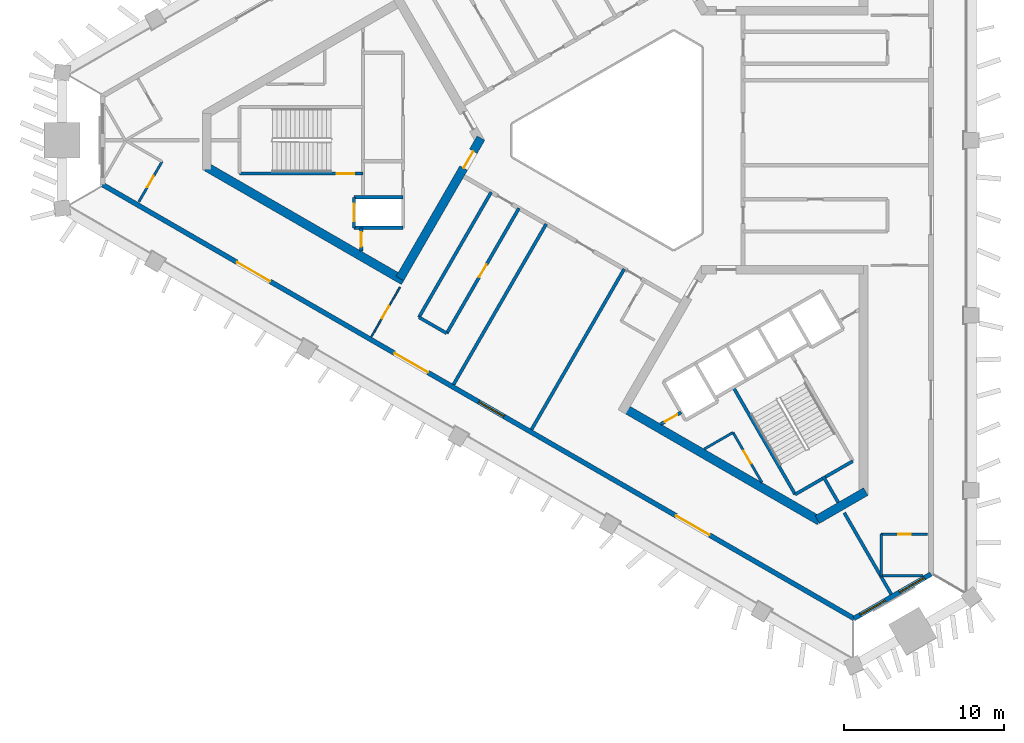
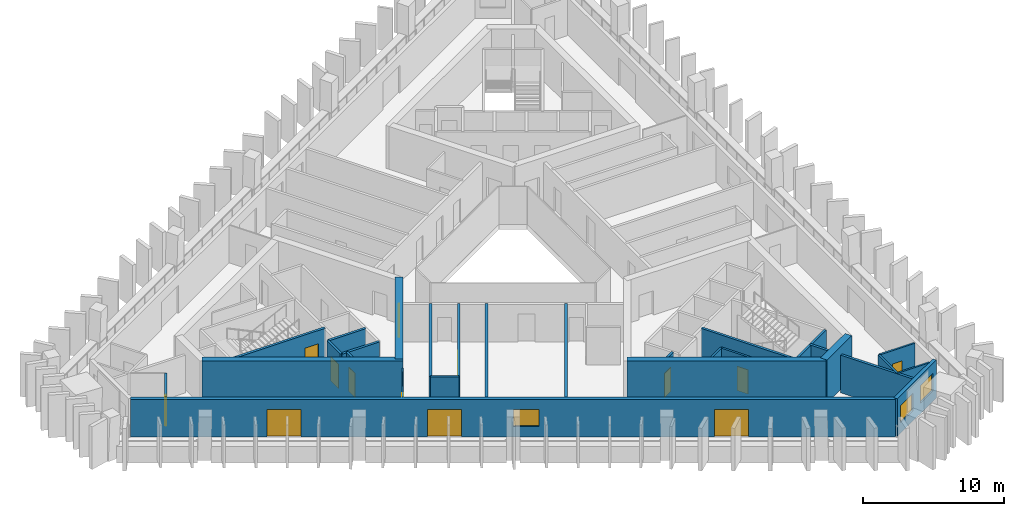
# One storey, part 2 of 10: 28 walls, 13 doors, 3 windows, 16 openings.
"""IFC4 building model written with IfcOpenShell, lengths in metres."""

from ifc_helpers import new_model, si_unit, direction, frame, frame_2d, origin, place, context, subcontext, project, spatial, rectangle, extrude, material, layer, layer_set, type_object, element, fill, save


model = new_model("IFC4")

# Units and contexts
model_context = context("Model", 3, precision=1e-05, world=origin(), true_north=direction((0.0, 1.0)))
body_context = subcontext(model_context, "Body", "Model", "MODEL_VIEW")
ifc_project = project(units=[si_unit("LENGTHUNIT", "METRE"), si_unit("AREAUNIT", "SQUARE_METRE"), si_unit("VOLUMEUNIT", "CUBIC_METRE"), si_unit("PLANEANGLEUNIT", "RADIAN"), si_unit("MASSUNIT", "GRAM", prefix="KILO")], contexts=[model_context])

# Site, building, storey
site_placement = place(None, origin())
site = spatial("IfcSite", under=ifc_project, at=site_placement, CompositionType="ELEMENT")
building_placement = place(site_placement, origin())
building = spatial("IfcBuilding", under=site, at=building_placement, Name="Jabali Bay Hotel Tower and Convention Centre", CompositionType="ELEMENT")
storey_placement = place(building_placement, frame((0.0, 0.0, 163.699951171875)))
storey = spatial("IfcBuildingStorey", under=building, at=storey_placement, Name="L39", CompositionType="ELEMENT", Elevation=163.699951171875)

# Wall, opening, door
ifc_material_1 = material(Name="Concrete C40", Category="concrete")
ifc_layer_1 = layer(ifc_material_1, 0.199951171875)
ifc_layer_set_1 = layer_set([ifc_layer_1], Name="Concrete C40")
wall_type_1 = type_object("IfcWallType", Name="Core partition wall 200", PredefinedType="PARTITIONING", material=ifc_layer_set_1)
wall_1_placement = place(storey_placement, frame((58.300048828125, 74.550048828125, 0.0), z_axis=(0.0, 0.0, 1.0), x_axis=(0.0, -1.0, 0.0)))
wall_1 = element("IfcWall", 1, at=wall_1_placement, inside=storey, type_object=wall_type_1, Name="Core wall 0.10 L39", PredefinedType="PARTITIONING", context=body_context, shape_type="SweptSolid", body=[
    extrude(rectangle(XDim=1.455078125, YDim=0.199951171875, at=frame_2d((0.7275390625, 0.0))), origin(), (0.0, 0.0, 1.0), 3.25),
])
opening_1_placement = place(wall_1_placement, frame((0.277587890625, 0.0, 0.0)))
opening_1 = element("IfcOpeningElement", 2, at=opening_1_placement, cuts=wall_1, Name="Opening D849", PredefinedType="OPENING", context=body_context, shape_type="SweptSolid", body=[
    extrude(rectangle(XDim=0.89990234375, YDim=2.10009765625, at=frame_2d((0.449951171875, 1.050048828125))), frame((0.0, 0.1103515625, 0.0), z_axis=(0.0, -1.0, 0.0), x_axis=(1.0, 0.0, 0.0)), (0.0, 0.0, 1.0), 0.220947265625),
])
ifc_material_2 = material(Name="Fire-rated steel door", Category="steel")
door_type_1 = type_object("IfcDoorType", Name="Vestibule fire door 900 x 2100", OperationType="NOTDEFINED", PredefinedType="NOTDEFINED", material=ifc_material_2)
door_1_placement = place(opening_1_placement, origin())
door_1 = element("IfcDoor", 3, at=door_1_placement, inside=storey, type_object=door_type_1, Name="Vestibule fire door D849", OperationType="SINGLE_SWING_LEFT", OverallHeight=2.10009765625, OverallWidth=0.89990234375, PredefinedType="NOTDEFINED", context=body_context, shape_type="SweptSolid", body=[
    extrude(rectangle(XDim=0.89990234375, YDim=2.10009765625, at=frame_2d((0.449951171875, 1.050048828125))), frame((0.0, 0.02490234375, 0.0), z_axis=(0.0, -1.0, 0.0), x_axis=(1.0, 0.0, 0.0)), (0.0, 0.0, 1.0), 0.050048828125),
])
fill(opening_1, door_1)

# Wall
wall_2_placement = place(storey_placement, frame((87.090087890625, 59.0595703125, 0.0), z_axis=(0.0, 0.0, 1.0), x_axis=(0.499951854219, -0.86605319898, 0.0)))
element("IfcWall", 4, at=wall_2_placement, inside=storey, type_object=wall_type_1, Name="Core wall 2.5 L39", PredefinedType="PARTITIONING", context=body_context, shape_type="SweptSolid", body=[
    extrude(rectangle(XDim=1.873291015625, YDim=0.199951171875, at=frame_2d((0.9365234375, 0.0))), origin(), (0.0, 0.0, 1.0), 3.25),
])

# Wall, opening, door
wall_3_placement = place(storey_placement, frame((76.969970703125, 62.315673828125, 0.0), z_axis=(0.0, 0.0, 1.0), x_axis=(0.865982457891, 0.500074377092, 0.0)))
wall_3 = element("IfcWall", 5, at=wall_3_placement, inside=storey, type_object=wall_type_1, Name="Core wall 2.11 L39", PredefinedType="PARTITIONING", context=body_context, shape_type="SweptSolid", body=[
    extrude(rectangle(XDim=1.461181640625, YDim=0.199951171875, at=frame_2d((0.73046875, 0.0))), origin(), (0.0, 0.0, 1.0), 3.25),
])
opening_2_placement = place(wall_3_placement, frame((0.280517578125, 0.0, 0.0)))
opening_2 = element("IfcOpeningElement", 6, at=opening_2_placement, cuts=wall_3, Name="Opening D862", PredefinedType="OPENING", context=body_context, shape_type="SweptSolid", body=[
    extrude(rectangle(XDim=0.89990234375, YDim=2.10009765625, at=frame_2d((0.449951171875, 1.050048828125))), frame((0.0, 0.1103515625, 0.0), z_axis=(0.0, -1.0, 0.0), x_axis=(1.0, 0.0, 0.0)), (0.0, 0.0, 1.0), 0.220947265625),
])
door_2_placement = place(opening_2_placement, origin())
door_2 = element("IfcDoor", 7, at=door_2_placement, inside=storey, type_object=door_type_1, Name="Vestibule fire door D862", OperationType="SINGLE_SWING_LEFT", OverallHeight=2.10009765625, OverallWidth=0.89990234375, PredefinedType="NOTDEFINED", context=body_context, shape_type="SweptSolid", body=[
    extrude(rectangle(XDim=0.89990234375, YDim=2.10009765625, at=frame_2d((0.449951171875, 1.050048828125))), frame((0.0, 0.02490234375, 0.0), z_axis=(0.0, -1.0, 0.0), x_axis=(1.0, 0.0, 0.0)), (0.0, 0.0, 1.0), 0.050048828125),
])
fill(opening_2, door_2)

ifc_material_3 = material(Name="Fire-rated board partition")
ifc_layer_2 = layer(ifc_material_3, 0.14990234375)
ifc_layer_set_2 = layer_set([ifc_layer_2], Name="Fire-rated board partition")
wall_type_2 = type_object("IfcWallType", Name="Core room partition 150", PredefinedType="PARTITIONING", material=ifc_layer_set_2)
wall_4_placement = place(storey_placement, frame((81.468994140625, 61.79541015625, 0.0), z_axis=(0.0, 0.0, 1.0), x_axis=(0.499992664208, -0.866029639064, 0.0)))
wall_4 = element("IfcWall", 8, at=wall_4_placement, inside=storey, type_object=wall_type_2, Name="Core wall 2.1 L39", PredefinedType="PARTITIONING", context=body_context, shape_type="SweptSolid", body=[
    extrude(rectangle(XDim=3.59765625, YDim=0.14990234375, at=frame_2d((1.798828125, 0.0))), origin(), (0.0, 0.0, 1.0), 3.25),
])
opening_3_placement = place(wall_4_placement, frame((1.321533203125, 0.0, 0.0)))
opening_3 = element("IfcOpeningElement", 9, at=opening_3_placement, cuts=wall_4, Name="Opening D864", PredefinedType="OPENING", context=body_context, shape_type="SweptSolid", body=[
    extrude(rectangle(XDim=0.89990234375, YDim=2.10009765625, at=frame_2d((0.449951171875, 1.050048828125))), frame((0.0, 0.08544921875, 0.0), z_axis=(0.0, -1.0, 0.0), x_axis=(1.0, 0.0, 0.0)), (0.0, 0.0, 1.0), 0.1708984375),
])
door_type_2 = type_object("IfcDoorType", Name="Core room door 900 x 2100", OperationType="NOTDEFINED", PredefinedType="NOTDEFINED", material=ifc_material_2)
door_3_placement = place(opening_3_placement, origin())
door_3 = element("IfcDoor", 10, at=door_3_placement, inside=storey, type_object=door_type_2, Name="Core room door D864", OperationType="SINGLE_SWING_LEFT", OverallHeight=2.10009765625, OverallWidth=0.89990234375, PredefinedType="NOTDEFINED", context=body_context, shape_type="SweptSolid", body=[
    extrude(rectangle(XDim=0.89990234375, YDim=2.10009765625, at=frame_2d((0.449951171875, 1.050048828125))), frame((0.0, 0.02490234375, 0.0), z_axis=(0.0, -1.0, 0.0), x_axis=(1.0, 0.0, 0.0)), (0.0, 0.0, 1.0), 0.050048828125),
])
fill(opening_3, door_3)

# Wall
wall_5_placement = place(storey_placement, frame((79.669921875, 60.7568359375, 0.0), z_axis=(0.0, 0.0, 1.0), x_axis=(0.866050549317, 0.49995644413, 0.0)))
element("IfcWall", 11, at=wall_5_placement, inside=storey, type_object=wall_type_2, Name="Core wall 2.16 L39", PredefinedType="PARTITIONING", context=body_context, shape_type="SweptSolid", body=[
    extrude(rectangle(XDim=2.077392578125, YDim=0.14990234375, at=frame_2d((1.03857421875, 0.0))), origin(), (0.0, 0.0, 1.0), 3.25),
])

# Wall, opening, door
ifc_layer_3 = layer(ifc_material_1, 0.199951171875)
ifc_layer_set_3 = layer_set([ifc_layer_3], Name="Concrete C40")
wall_type_3 = type_object("IfcWallType", Name="Core stair wall 200", PredefinedType="SOLIDWALL", material=ifc_layer_set_3)
wall_6_placement = place(storey_placement, frame((58.419921875, 77.925048828125, 0.0), z_axis=(0.0, 0.0, 1.0), x_axis=(-1.0, 0.0, 0.0)))
wall_6 = element("IfcWall", 12, at=wall_6_placement, inside=storey, type_object=wall_type_3, Name="Core wall 0.5 L39", PredefinedType="SOLIDWALL", context=body_context, shape_type="SweptSolid", body=[
    extrude(rectangle(XDim=7.699951171875, YDim=0.199951171875, at=frame_2d((3.85009765625, 0.0))), origin(), (0.0, 0.0, 1.0), 3.25),
])
opening_4_placement = place(wall_6_placement, frame((0.550048828125, 0.0, 0.0)))
opening_4 = element("IfcOpeningElement", 13, at=opening_4_placement, cuts=wall_6, Name="Opening D851", PredefinedType="OPENING", context=body_context, shape_type="SweptSolid", body=[
    extrude(rectangle(XDim=1.10009765625, YDim=2.10009765625, at=frame_2d((0.550048828125, 1.050048828125))), frame((0.0, 0.1103515625, 0.0), z_axis=(0.0, -1.0, 0.0), x_axis=(1.0, 0.0, 0.0)), (0.0, 0.0, 1.0), 0.220947265625),
])
door_type_3 = type_object("IfcDoorType", Name="Stair fire door 1100 x 2100", OperationType="NOTDEFINED", PredefinedType="NOTDEFINED", material=ifc_material_2)
door_4_placement = place(opening_4_placement, origin())
door_4 = element("IfcDoor", 14, at=door_4_placement, inside=storey, type_object=door_type_3, Name="Stair fire door D851", OperationType="SINGLE_SWING_RIGHT", OverallHeight=2.10009765625, OverallWidth=1.10009765625, PredefinedType="NOTDEFINED", context=body_context, shape_type="SweptSolid", body=[
    extrude(rectangle(XDim=1.10009765625, YDim=2.10009765625, at=frame_2d((0.550048828125, 1.050048828125))), frame((0.0, 0.02490234375, 0.0), z_axis=(0.0, -1.0, 0.0), x_axis=(1.0, 0.0, 0.0)), (0.0, 0.0, 1.0), 0.050048828125),
])
fill(opening_4, door_4)

# Walls
for number, where, z_axis, x_axis, name in (
    (15, (60.89990234375, 76.449951171875, 0.0), (0.0, 0.0, 1.0), (-1.0, 0.0, 0.0), "Core wall 0.6 L39"),
    (16, (60.89990234375, 74.550048828125, 0.0), (0.0, 0.0, 1.0), (-1.0, 0.0, 0.0), "Core wall 0.7 L39"),
):
    element("IfcWall", number, at=place(storey_placement, frame(where, z_axis=z_axis, x_axis=x_axis)), inside=storey, type_object=wall_type_3, Name=name, PredefinedType="SOLIDWALL", context=body_context, shape_type="SweptSolid", body=[
        extrude(rectangle(XDim=3.0498046875, YDim=0.199951171875, at=frame_2d((1.52490234375, 0.0))), origin(), (0.0, 0.0, 1.0), 3.25),
    ])

# Wall, opening, door
wall_7_placement = place(storey_placement, frame((57.85009765625, 76.449951171875, 0.0), z_axis=(0.0, 0.0, 1.0), x_axis=(0.0, -1.0, 0.0)))
wall_7 = element("IfcWall", 17, at=wall_7_placement, inside=storey, type_object=wall_type_3, Name="Core wall 0.11 L39", PredefinedType="SOLIDWALL", context=body_context, shape_type="SweptSolid", body=[
    extrude(rectangle(XDim=1.89990234375, YDim=0.199951171875, at=frame_2d((0.949951171875, 0.0))), origin(), (0.0, 0.0, 1.0), 3.25),
])
opening_5_placement = place(wall_7_placement, frame((0.39990234375, 0.0, 0.0)))
opening_5 = element("IfcOpeningElement", 18, at=opening_5_placement, cuts=wall_7, Name="Opening LD5-L39", PredefinedType="OPENING", context=body_context, shape_type="SweptSolid", body=[
    extrude(rectangle(XDim=1.10009765625, YDim=2.10009765625, at=frame_2d((0.550048828125, 1.050048828125))), frame((0.0, 0.1103515625, 0.0), z_axis=(0.0, -1.0, 0.0), x_axis=(1.0, 0.0, 0.0)), (0.0, 0.0, 1.0), 0.220947265625),
])
ifc_material_4 = material(Name="Stainless steel landing door", Category="steel")
door_type_4 = type_object("IfcDoorType", Name="Landing door 1100 x 2100", OperationType="NOTDEFINED", PredefinedType="NOTDEFINED", material=ifc_material_4)
door_5_placement = place(opening_5_placement, origin())
door_5 = element("IfcDoor", 19, at=door_5_placement, inside=storey, type_object=door_type_4, Name="Landing doors LD5-L39", OperationType="SLIDING_TO_RIGHT", OverallHeight=2.10009765625, OverallWidth=1.10009765625, PredefinedType="NOTDEFINED", context=body_context, shape_type="SweptSolid", body=[
    extrude(rectangle(XDim=1.10009765625, YDim=2.10009765625, at=frame_2d((0.550048828125, 1.050048828125))), frame((0.0, 0.02490234375, 0.0), z_axis=(0.0, -1.0, 0.0), x_axis=(1.0, 0.0, 0.0)), (0.0, 0.0, 1.0), 0.050048828125),
])
fill(opening_5, door_5)

# Walls
wall_8_placement = place(storey_placement, frame((81.492919921875, 64.603759765625, 0.0), z_axis=(0.0, 0.0, 1.0), x_axis=(0.500006057782, -0.866021906294, 0.0)))
element("IfcWall", 20, at=wall_8_placement, inside=storey, type_object=wall_type_3, Name="Core wall 2.3 L39", PredefinedType="SOLIDWALL", context=body_context, shape_type="SweptSolid", body=[
    extrude(rectangle(XDim=7.7001953125, YDim=0.199951171875, at=frame_2d((3.85009765625, 0.0))), origin(), (0.0, 0.0, 1.0), 3.25),
])
wall_9_placement = place(storey_placement, frame((85.343017578125, 57.935302734375, 0.0), z_axis=(0.0, 0.0, 1.0), x_axis=(0.866004344652, 0.500036473714, 0.0)))
element("IfcWall", 21, at=wall_9_placement, inside=storey, type_object=wall_type_3, Name="Core wall 2.17 L39", PredefinedType="SOLIDWALL", context=body_context, shape_type="SweptSolid", body=[
    extrude(rectangle(XDim=4.150146484375, YDim=0.199951171875, at=frame_2d((2.0751953125, 0.0))), origin(), (0.0, 0.0, 1.0), 3.25),
])
ifc_material_5 = material(Name="Concrete C60", Category="concrete")
ifc_layer_4 = layer(ifc_material_5, 0.550048828125)
ifc_layer_set_4 = layer_set([ifc_layer_4], Name="Concrete C60")
wall_type_4 = type_object("IfcWallType", Name="Core wall 550", PredefinedType="SHEAR", material=ifc_layer_set_4)
wall_10_placement = place(storey_placement, frame((48.671875, 78.336181640625, 0.0), z_axis=(0.0, 0.0, 1.0), x_axis=(0.866023530946, -0.500003243837, 0.0)))
element("IfcWall", 22, at=wall_10_placement, inside=storey, type_object=wall_type_4, Name="Core wall 1.4 L39", PredefinedType="SHEAR", context=body_context, shape_type="SweptSolid", body=[
    extrude(rectangle(XDim=14.1748046875, YDim=0.550048828125, at=frame_2d((7.08740234375, 0.0))), origin(), (0.0, 0.0, 1.0), 3.699951171875),
])

# Wall, opening, door
wall_11_placement = place(storey_placement, frame((60.709228515625, 71.38623046875, 0.0), z_axis=(0.0, 0.0, 1.0), x_axis=(0.500015938302, 0.866016201606, 0.0)))
wall_11 = element("IfcWall", 23, at=wall_11_placement, inside=storey, type_object=wall_type_4, Name="Core wall 1.5 L39", PredefinedType="SHEAR", context=body_context, shape_type="SweptSolid", body=[
    extrude(rectangle(XDim=10.105224609375, YDim=0.550048828125, at=frame_2d((5.052734375, 0.0))), origin(), (0.0, 0.0, 1.0), 3.699951171875),
])
opening_6_placement = place(wall_11_placement, frame((7.955078125, 0.0, 0.0)))
opening_6 = element("IfcOpeningElement", 24, at=opening_6_placement, cuts=wall_11, Name="Opening D846", PredefinedType="OPENING", context=body_context, shape_type="SweptSolid", body=[
    extrude(rectangle(XDim=1.199951171875, YDim=2.10009765625, at=frame_2d((0.60009765625, 1.050048828125))), frame((0.0, 0.28564453125, 0.0), z_axis=(0.0, -1.0, 0.0), x_axis=(1.0, 0.0, 0.0)), (0.0, 0.0, 1.0), 0.571044921875),
])
door_type_5 = type_object("IfcDoorType", Name="Corridor end fire door 1200 x 2100", OperationType="NOTDEFINED", PredefinedType="NOTDEFINED", material=ifc_material_2)
door_6_placement = place(opening_6_placement, origin())
door_6 = element("IfcDoor", 25, at=door_6_placement, inside=storey, type_object=door_type_5, Name="Corridor end fire door D846", OperationType="SINGLE_SWING_LEFT", OverallHeight=2.10009765625, OverallWidth=1.199951171875, PredefinedType="NOTDEFINED", context=body_context, shape_type="SweptSolid", body=[
    extrude(rectangle(XDim=1.199951171875, YDim=2.10009765625, at=frame_2d((0.60009765625, 1.050048828125))), frame((0.0, 0.02490234375, 0.0), z_axis=(0.0, -1.0, 0.0), x_axis=(1.0, 0.0, 0.0)), (0.0, 0.0, 1.0), 0.050048828125),
])
fill(opening_6, door_6)

# Walls
wall_12_placement = place(storey_placement, frame((74.685546875, 63.317138671875, 0.0), z_axis=(0.0, 0.0, 1.0), x_axis=(0.866024505738, -0.500001555459, 0.0)))
element("IfcWall", 26, at=wall_12_placement, inside=storey, type_object=wall_type_4, Name="Core wall 3.2 L39", PredefinedType="SHEAR", context=body_context, shape_type="SweptSolid", body=[
    extrude(rectangle(XDim=14.05859375, YDim=0.550048828125, at=frame_2d((7.029296875, 0.0))), origin(), (0.0, 0.0, 1.0), 3.699951171875),
])
wall_13_placement = place(storey_placement, frame((86.72314453125, 56.3671875, 0.0), z_axis=(0.0, 0.0, 1.0), x_axis=(0.865997833373, 0.500047750313, 0.0)))
element("IfcWall", 27, at=wall_13_placement, inside=storey, type_object=wall_type_4, Name="Core wall 3.3 L39", PredefinedType="SHEAR", context=body_context, shape_type="SweptSolid", body=[
    extrude(rectangle(XDim=3.486572265625, YDim=0.550048828125, at=frame_2d((1.7431640625, 0.0))), origin(), (0.0, 0.0, 1.0), 3.699951171875),
])

# Wall, openings, windows
ifc_layer_5 = layer(ifc_material_1, 0.300048828125)
ifc_layer_set_5 = layer_set([ifc_layer_5], Name="Concrete C40")
wall_type_5 = type_object("IfcWallType", Name="External wall 300", PredefinedType="SOLIDWALL", material=ifc_layer_set_5)
wall_14_placement = place(storey_placement, frame((93.80078125, 52.9677734375, 0.0), z_axis=(0.0, 0.0, 1.0), x_axis=(-0.86602095052, -0.500007713201, 0.0)))
wall_14 = element("IfcWall", 28, at=wall_14_placement, inside=storey, type_object=wall_type_5, Name="External wall south-east chamfer L39", PredefinedType="SOLIDWALL", context=body_context, shape_type="SweptSolid", body=[
    extrude(rectangle(XDim=5.53173828125, YDim=0.300048828125, at=frame_2d((2.765869140625, 0.0))), origin(), (0.0, 0.0, 1.0), 3.25),
])
opening_7_placement = place(wall_14_placement, frame((0.465087890625, 0.0, 0.89990234375)))
opening_7 = element("IfcOpeningElement", 29, at=opening_7_placement, cuts=wall_14, Name="Opening W1", PredefinedType="OPENING", context=body_context, shape_type="SweptSolid", body=[
    extrude(rectangle(XDim=1.800048828125, YDim=1.5, at=frame_2d((0.89990234375, 0.75))), frame((0.0, 0.16064453125, 0.0), z_axis=(0.0, -1.0, 0.0), x_axis=(1.0, 0.0, 0.0)), (0.0, 0.0, 1.0), 0.321044921875),
])
opening_8_placement = place(wall_14_placement, frame((3.29150390625, 0.0, 0.89990234375)))
opening_8 = element("IfcOpeningElement", 30, at=opening_8_placement, cuts=wall_14, Name="Opening W1", PredefinedType="OPENING", context=body_context, shape_type="SweptSolid", body=[
    extrude(rectangle(XDim=1.800048828125, YDim=1.5, at=frame_2d((0.89990234375, 0.75))), frame((0.0, 0.16064453125, 0.0), z_axis=(0.0, -1.0, 0.0), x_axis=(1.0, 0.0, 0.0)), (0.0, 0.0, 1.0), 0.321044921875),
])
ifc_material_6 = material(Name="Glass", Category="glass")
window_type = type_object("IfcWindowType", Name="Window 1800 x 1500", PartitioningType="SINGLE_PANEL", PredefinedType="WINDOW", material=ifc_material_6)
window_1_placement = place(opening_7_placement, origin())
window_1 = element("IfcWindow", 31, at=window_1_placement, inside=storey, type_object=window_type, Name="Window 3901", OverallHeight=1.5, OverallWidth=1.800048828125, PartitioningType="SINGLE_PANEL", PredefinedType="WINDOW", context=body_context, shape_type="SweptSolid", body=[
    extrude(rectangle(XDim=1.800048828125, YDim=1.5, at=frame_2d((0.89990234375, 0.75))), frame((0.0, 0.030029296875, 0.0), z_axis=(0.0, -1.0, 0.0), x_axis=(1.0, 0.0, 0.0)), (0.0, 0.0, 1.0), 0.06005859375),
])
fill(opening_7, window_1)
window_2_placement = place(opening_8_placement, origin())
window_2 = element("IfcWindow", 32, at=window_2_placement, inside=storey, type_object=window_type, Name="Window 3912", OverallHeight=1.5, OverallWidth=1.800048828125, PartitioningType="SINGLE_PANEL", PredefinedType="WINDOW", context=body_context, shape_type="SweptSolid", body=[
    extrude(rectangle(XDim=1.800048828125, YDim=1.5, at=frame_2d((0.89990234375, 0.75))), frame((0.0, 0.030029296875, 0.0), z_axis=(0.0, -1.0, 0.0), x_axis=(1.0, 0.0, 0.0)), (0.0, 0.0, 1.0), 0.06005859375),
])
fill(opening_8, window_2)

# Wall, openings, doors, window
wall_15_placement = place(storey_placement, frame((89.01025390625, 50.201904296875, 0.0), z_axis=(0.0, 0.0, 1.0), x_axis=(-0.866025862562, 0.499999205373, 0.0)))
wall_15 = element("IfcWall", 33, at=wall_15_placement, inside=storey, type_object=wall_type_5, Name="External wall south-west face L39", PredefinedType="SOLIDWALL", context=body_context, shape_type="SweptSolid", body=[
    extrude(rectangle(XDim=54.064453125, YDim=0.300048828125, at=frame_2d((27.0322265625, 0.0))), origin(), (0.0, 0.0, 1.0), 3.25),
])
opening_9_placement = place(wall_15_placement, frame((30.664794921875, 0.0, 0.0)))
opening_9 = element("IfcOpeningElement", 34, at=opening_9_placement, cuts=wall_15, Name="Opening SD1", PredefinedType="OPENING", context=body_context, shape_type="SweptSolid", body=[
    extrude(rectangle(XDim=2.39990234375, YDim=2.39990234375, at=frame_2d((1.199951171875, 1.199951171875))), frame((0.0, 0.16064453125, 0.0), z_axis=(0.0, -1.0, 0.0), x_axis=(1.0, 0.0, 0.0)), (0.0, 0.0, 1.0), 0.321044921875),
])
opening_10_placement = place(wall_15_placement, frame((42.010986328125, 0.0, 0.0)))
opening_10 = element("IfcOpeningElement", 35, at=opening_10_placement, cuts=wall_15, Name="Opening SD1", PredefinedType="OPENING", context=body_context, shape_type="SweptSolid", body=[
    extrude(rectangle(XDim=2.39990234375, YDim=2.39990234375, at=frame_2d((1.199951171875, 1.199951171875))), frame((0.0, 0.16064453125, 0.0), z_axis=(0.0, -1.0, 0.0), x_axis=(1.0, 0.0, 0.0)), (0.0, 0.0, 1.0), 0.321044921875),
])
opening_11_placement = place(wall_15_placement, frame((10.40234375, 0.0, 0.0)))
opening_11 = element("IfcOpeningElement", 36, at=opening_11_placement, cuts=wall_15, Name="Opening SD1", PredefinedType="OPENING", context=body_context, shape_type="SweptSolid", body=[
    extrude(rectangle(XDim=2.39990234375, YDim=2.39990234375, at=frame_2d((1.199951171875, 1.199951171875))), frame((0.0, 0.16064453125, 0.0), z_axis=(0.0, -1.0, 0.0), x_axis=(1.0, 0.0, 0.0)), (0.0, 0.0, 1.0), 0.321044921875),
])
opening_12_placement = place(wall_15_placement, frame((25.197021484375, 0.0, 0.89990234375)))
opening_12 = element("IfcOpeningElement", 37, at=opening_12_placement, cuts=wall_15, Name="Opening W1", PredefinedType="OPENING", context=body_context, shape_type="SweptSolid", body=[
    extrude(rectangle(XDim=1.800048828125, YDim=1.5, at=frame_2d((0.89990234375, 0.75))), frame((0.0, 0.16064453125, 0.0), z_axis=(0.0, -1.0, 0.0), x_axis=(1.0, 0.0, 0.0)), (0.0, 0.0, 1.0), 0.321044921875),
])
door_type_6 = type_object("IfcDoorType", Name="Loggia sliding door 2400 x 2400", OperationType="NOTDEFINED", PredefinedType="NOTDEFINED", material=ifc_material_6)
door_7_placement = place(opening_9_placement, origin())
door_7 = element("IfcDoor", 38, at=door_7_placement, inside=storey, type_object=door_type_6, Name="Loggia sliding door 3910", OperationType="SLIDING_TO_LEFT", OverallHeight=2.39990234375, OverallWidth=2.39990234375, PredefinedType="NOTDEFINED", context=body_context, shape_type="SweptSolid", body=[
    extrude(rectangle(XDim=2.39990234375, YDim=2.39990234375, at=frame_2d((1.199951171875, 1.199951171875))), frame((0.0, 0.02490234375, 0.0), z_axis=(0.0, -1.0, 0.0), x_axis=(1.0, 0.0, 0.0)), (0.0, 0.0, 1.0), 0.050048828125),
])
fill(opening_9, door_7)
door_8_placement = place(opening_10_placement, origin())
door_8 = element("IfcDoor", 39, at=door_8_placement, inside=storey, type_object=door_type_6, Name="Loggia sliding door 3910", OperationType="SLIDING_TO_RIGHT", OverallHeight=2.39990234375, OverallWidth=2.39990234375, PredefinedType="NOTDEFINED", context=body_context, shape_type="SweptSolid", body=[
    extrude(rectangle(XDim=2.39990234375, YDim=2.39990234375, at=frame_2d((1.199951171875, 1.199951171875))), frame((0.0, 0.02490234375, 0.0), z_axis=(0.0, -1.0, 0.0), x_axis=(1.0, 0.0, 0.0)), (0.0, 0.0, 1.0), 0.050048828125),
])
fill(opening_10, door_8)
door_9_placement = place(opening_11_placement, origin())
door_9 = element("IfcDoor", 40, at=door_9_placement, inside=storey, type_object=door_type_6, Name="Loggia sliding door 3912", OperationType="SLIDING_TO_LEFT", OverallHeight=2.39990234375, OverallWidth=2.39990234375, PredefinedType="NOTDEFINED", context=body_context, shape_type="SweptSolid", body=[
    extrude(rectangle(XDim=2.39990234375, YDim=2.39990234375, at=frame_2d((1.199951171875, 1.199951171875))), frame((0.0, 0.02490234375, 0.0), z_axis=(0.0, -1.0, 0.0), x_axis=(1.0, 0.0, 0.0)), (0.0, 0.0, 1.0), 0.050048828125),
])
fill(opening_11, door_9)
window_3_placement = place(opening_12_placement, origin())
window_3 = element("IfcWindow", 41, at=window_3_placement, inside=storey, type_object=window_type, Name="Window", OverallHeight=1.5, OverallWidth=1.800048828125, PartitioningType="SINGLE_PANEL", PredefinedType="WINDOW", context=body_context, shape_type="SweptSolid", body=[
    extrude(rectangle(XDim=1.800048828125, YDim=1.5, at=frame_2d((0.89990234375, 0.75))), frame((0.0, 0.030029296875, 0.0), z_axis=(0.0, -1.0, 0.0), x_axis=(1.0, 0.0, 0.0)), (0.0, 0.0, 1.0), 0.06005859375),
])
fill(opening_12, window_3)

# Wall, opening, door
ifc_material_7 = material(Name="Plasterboard on steel stud", Category="steel")
ifc_layer_6 = layer(ifc_material_7, 0.10009765625)
ifc_layer_set_6 = layer_set([ifc_layer_6], Name="Plasterboard on steel stud")
wall_type_6 = type_object("IfcWallType", Name="Partition 100 unit", PredefinedType="PARTITIONING", material=ifc_layer_set_6)
wall_16_placement = place(storey_placement, frame((60.71044921875, 70.83837890625, 0.0), z_axis=(0.0, 0.0, 1.0), x_axis=(-0.4999827131, -0.866035384151, 0.0)))
wall_16 = element("IfcWall", 42, at=wall_16_placement, inside=storey, type_object=wall_type_6, Name="Partition P02 L39 032", PredefinedType="PARTITIONING", context=body_context, shape_type="SweptSolid", body=[
    extrude(rectangle(XDim=3.572998046875, YDim=0.10009765625, at=frame_2d((1.78662109375, 0.0))), origin(), (0.0, 0.0, 1.0), 3.25),
])
opening_13_placement = place(wall_16_placement, frame((1.3359375, 0.0, 0.0)))
opening_13 = element("IfcOpeningElement", 43, at=opening_13_placement, cuts=wall_16, Name="Opening 3919", PredefinedType="OPENING", context=body_context, shape_type="SweptSolid", body=[
    extrude(rectangle(XDim=0.89990234375, YDim=2.10009765625, at=frame_2d((0.449951171875, 1.050048828125))), frame((0.0, 0.060546875, 0.0), z_axis=(0.0, -1.0, 0.0), x_axis=(1.0, 0.0, 0.0)), (0.0, 0.0, 1.0), 0.12109375),
])
ifc_material_8 = material(Name="Timber", Category="wood")
door_type_7 = type_object("IfcDoorType", Name="Internal door 900 x 2100", OperationType="NOTDEFINED", PredefinedType="NOTDEFINED", material=ifc_material_8)
door_10_placement = place(opening_13_placement, origin())
door_10 = element("IfcDoor", 44, at=door_10_placement, inside=storey, type_object=door_type_7, Name="Door 3919", OperationType="SINGLE_SWING_LEFT", OverallHeight=2.10009765625, OverallWidth=0.89990234375, PredefinedType="NOTDEFINED", context=body_context, shape_type="SweptSolid", body=[
    extrude(rectangle(XDim=0.89990234375, YDim=2.10009765625, at=frame_2d((0.449951171875, 1.050048828125))), frame((0.0, 0.02490234375, 0.0), z_axis=(0.0, -1.0, 0.0), x_axis=(1.0, 0.0, 0.0)), (0.0, 0.0, 1.0), 0.050048828125),
])
fill(opening_13, door_10)

# Walls
ifc_layer_7 = layer(ifc_material_7, 0.14990234375)
ifc_layer_set_7 = layer_set([ifc_layer_7], Name="Plasterboard on steel stud")
wall_type_7 = type_object("IfcWallType", Name="Partition 150 wet", PredefinedType="PARTITIONING", material=ifc_layer_set_7)
wall_17_placement = place(storey_placement, frame((93.322509765625, 52.86376953125, 0.0), z_axis=(0.0, 0.0, 1.0), x_axis=(-0.999994377011, -0.003353497678, 0.0)))
element("IfcWall", 45, at=wall_17_placement, inside=storey, type_object=wall_type_7, Name="Partition P03 L39 006", PredefinedType="PARTITIONING", context=body_context, shape_type="SweptSolid", body=[
    extrude(rectangle(XDim=2.620849609375, YDim=0.14990234375, at=frame_2d((1.310546875, 0.0))), origin(), (0.0, 0.0, 1.0), 3.25),
])
wall_18_placement = place(storey_placement, frame((90.70166015625, 52.85498046875, 0.0), z_axis=(0.0, 0.0, 1.0), x_axis=(0.0, 1.0, 0.0)))
element("IfcWall", 46, at=wall_18_placement, inside=storey, type_object=wall_type_7, Name="Partition P03 L39 007", PredefinedType="PARTITIONING", context=body_context, shape_type="SweptSolid", body=[
    extrude(rectangle(XDim=2.599853515625, YDim=0.14990234375, at=frame_2d((1.2998046875, 0.0))), origin(), (0.0, 0.0, 1.0), 3.25),
])

# Wall, opening, door
wall_19_placement = place(storey_placement, frame((90.70166015625, 55.454833984375, 0.0), z_axis=(0.0, 0.0, 1.0), x_axis=(1.0, 0.0, 0.0)))
wall_19 = element("IfcWall", 47, at=wall_19_placement, inside=storey, type_object=wall_type_7, Name="Partition P03 L39 008", PredefinedType="PARTITIONING", context=body_context, shape_type="SweptSolid", body=[
    extrude(rectangle(XDim=2.89990234375, YDim=0.14990234375, at=frame_2d((1.449951171875, 0.0))), origin(), (0.0, 0.0, 1.0), 3.25),
])
opening_14_placement = place(wall_19_placement, frame((1.050048828125, 0.0, 0.0)))
opening_14 = element("IfcOpeningElement", 48, at=opening_14_placement, cuts=wall_19, Name="Opening 3903", PredefinedType="OPENING", context=body_context, shape_type="SweptSolid", body=[
    extrude(rectangle(XDim=0.800048828125, YDim=2.10009765625, at=frame_2d((0.39990234375, 1.050048828125))), frame((0.0, 0.08544921875, 0.0), z_axis=(0.0, -1.0, 0.0), x_axis=(1.0, 0.0, 0.0)), (0.0, 0.0, 1.0), 0.1708984375),
])
door_type_8 = type_object("IfcDoorType", Name="En-suite door 800 x 2100", OperationType="NOTDEFINED", PredefinedType="NOTDEFINED", material=ifc_material_8)
door_11_placement = place(opening_14_placement, origin())
door_11 = element("IfcDoor", 49, at=door_11_placement, inside=storey, type_object=door_type_8, Name="Door 3903", OperationType="SINGLE_SWING_RIGHT", OverallHeight=2.10009765625, OverallWidth=0.800048828125, PredefinedType="NOTDEFINED", context=body_context, shape_type="SweptSolid", body=[
    extrude(rectangle(XDim=0.800048828125, YDim=2.10009765625, at=frame_2d((0.39990234375, 1.050048828125))), frame((0.0, 0.02490234375, 0.0), z_axis=(0.0, -1.0, 0.0), x_axis=(1.0, 0.0, 0.0)), (0.0, 0.0, 1.0), 0.050048828125),
])
fill(opening_14, door_11)

wall_20_placement = place(storey_placement, frame((45.892578125, 78.674560546875, 0.0), z_axis=(0.0, 0.0, 1.0), x_axis=(-0.499987231761, -0.866032775405, 0.0)))
wall_20 = element("IfcWall", 50, at=wall_20_placement, inside=storey, type_object=wall_type_7, Name="Partition P03 L39 039", PredefinedType="PARTITIONING", context=body_context, shape_type="SweptSolid", body=[
    extrude(rectangle(XDim=2.89990234375, YDim=0.14990234375, at=frame_2d((1.449951171875, 0.0))), origin(), (0.0, 0.0, 1.0), 3.25),
])
opening_15_placement = place(wall_20_placement, frame((1.050048828125, 0.0, 0.0)))
opening_15 = element("IfcOpeningElement", 51, at=opening_15_placement, cuts=wall_20, Name="Opening 3920", PredefinedType="OPENING", context=body_context, shape_type="SweptSolid", body=[
    extrude(rectangle(XDim=0.800048828125, YDim=2.10009765625, at=frame_2d((0.39990234375, 1.050048828125))), frame((0.0, 0.08544921875, 0.0), z_axis=(0.0, -1.0, 0.0), x_axis=(1.0, 0.0, 0.0)), (0.0, 0.0, 1.0), 0.1708984375),
])
door_12_placement = place(opening_15_placement, origin())
door_12 = element("IfcDoor", 52, at=door_12_placement, inside=storey, type_object=door_type_8, Name="Door 3920", OperationType="SINGLE_SWING_RIGHT", OverallHeight=2.10009765625, OverallWidth=0.800048828125, PredefinedType="NOTDEFINED", context=body_context, shape_type="SweptSolid", body=[
    extrude(rectangle(XDim=0.800048828125, YDim=2.10009765625, at=frame_2d((0.39990234375, 1.050048828125))), frame((0.0, 0.02490234375, 0.0), z_axis=(0.0, -1.0, 0.0), x_axis=(1.0, 0.0, 0.0)), (0.0, 0.0, 1.0), 0.050048828125),
])
fill(opening_15, door_12)

# Wall
ifc_layer_8 = layer(ifc_material_7, 0.199951171875)
ifc_layer_set_8 = layer_set([ifc_layer_8], Name="Plasterboard on steel stud")
wall_type_8 = type_object("IfcWallType", Name="Partition 200 party", PredefinedType="PARTITIONING", material=ifc_layer_set_8)
wall_21_placement = place(storey_placement, frame((88.40185546875, 56.789306640625, 0.0), z_axis=(0.0, 0.0, 1.0), x_axis=(0.499988124798, -0.866032259827, 0.0)))
element("IfcWall", 53, at=wall_21_placement, inside=storey, type_object=wall_type_8, Name="Partition P01 L39 009", PredefinedType="PARTITIONING", context=body_context, shape_type="SweptSolid", body=[
    extrude(rectangle(XDim=5.860107421875, YDim=0.199951171875, at=frame_2d((2.93017578125, 0.0))), origin(), (0.0, 0.0, 1.0), 3.25),
])

# Wall, opening, door
wall_22_placement = place(storey_placement, frame((68.131103515625, 75.767333984375, 0.0), z_axis=(0.0, 0.0, 1.0), x_axis=(-0.5000018851, -0.866024315419, 0.0)))
wall_22 = element("IfcWall", 54, at=wall_22_placement, inside=storey, type_object=wall_type_8, Name="Partition P01 L39 033", PredefinedType="PARTITIONING", context=body_context, shape_type="SweptSolid", body=[
    extrude(rectangle(XDim=9.0, YDim=0.199951171875, at=frame_2d((4.5, 0.0))), origin(), (0.0, 0.0, 1.0), 3.25),
])
opening_16_placement = place(wall_22_placement, frame((4.050048828125, 0.0, 0.0)))
opening_16 = element("IfcOpeningElement", 55, at=opening_16_placement, cuts=wall_22, Name="Opening 3921", PredefinedType="OPENING", context=body_context, shape_type="SweptSolid", body=[
    extrude(rectangle(XDim=0.89990234375, YDim=2.10009765625, at=frame_2d((0.449951171875, 1.050048828125))), frame((0.0, 0.1103515625, 0.0), z_axis=(0.0, -1.0, 0.0), x_axis=(1.0, 0.0, 0.0)), (0.0, 0.0, 1.0), 0.220947265625),
])
door_13_placement = place(opening_16_placement, origin())
door_13 = element("IfcDoor", 56, at=door_13_placement, inside=storey, type_object=door_type_7, Name="Door 3921", OperationType="SINGLE_SWING_LEFT", OverallHeight=2.10009765625, OverallWidth=0.89990234375, PredefinedType="NOTDEFINED", context=body_context, shape_type="SweptSolid", body=[
    extrude(rectangle(XDim=0.89990234375, YDim=2.10009765625, at=frame_2d((0.449951171875, 1.050048828125))), frame((0.0, 0.02490234375, 0.0), z_axis=(0.0, -1.0, 0.0), x_axis=(1.0, 0.0, 0.0)), (0.0, 0.0, 1.0), 0.050048828125),
])
fill(opening_16, door_13)

# Walls
wall_23_placement = place(storey_placement, frame((63.631103515625, 67.97314453125, 0.0), z_axis=(0.0, 0.0, 1.0), x_axis=(-0.866041268327, 0.499972520799, 0.0)))
element("IfcWall", 57, at=wall_23_placement, inside=storey, type_object=wall_type_8, Name="Partition P01 L39 034", PredefinedType="PARTITIONING", context=body_context, shape_type="SweptSolid", body=[
    extrude(rectangle(XDim=2.0, YDim=0.199951171875, at=frame_2d((1.0, 0.0))), origin(), (0.0, 0.0, 1.0), 3.25),
])
wall_24_placement = place(storey_placement, frame((61.89892578125, 68.97314453125, 0.0), z_axis=(0.0, 0.0, 1.0), x_axis=(0.5000018851, 0.866024315419, 0.0)))
element("IfcWall", 58, at=wall_24_placement, inside=storey, type_object=wall_type_8, Name="Partition P01 L39 035", PredefinedType="PARTITIONING", context=body_context, shape_type="SweptSolid", body=[
    extrude(rectangle(XDim=9.0, YDim=0.199951171875, at=frame_2d((4.5, 0.0))), origin(), (0.0, 0.0, 1.0), 3.25),
])
for number, where, z_axis, x_axis, name in (
    (59, (64.05419921875, 64.782470703125, 0.0), (0.0, 0.0, 1.0), (0.499998700539, 0.866026154027, 0.0), "Partition P01 L39 036"),
    (60, (68.9140625, 61.9765625, 0.0), (0.0, 0.0, 1.0), (0.499998700539, 0.866026154027, 0.0), "Partition P01 L39 040"),
):
    element("IfcWall", number, at=place(storey_placement, frame(where, z_axis=z_axis, x_axis=x_axis)), inside=storey, type_object=wall_type_8, Name=name, PredefinedType="PARTITIONING", context=body_context, shape_type="SweptSolid", body=[
        extrude(rectangle(XDim=11.5517578125, YDim=0.199951171875, at=frame_2d((5.77587890625, 0.0))), origin(), (0.0, 0.0, 1.0), 3.25),
    ])

save(model, "model.ifc")
